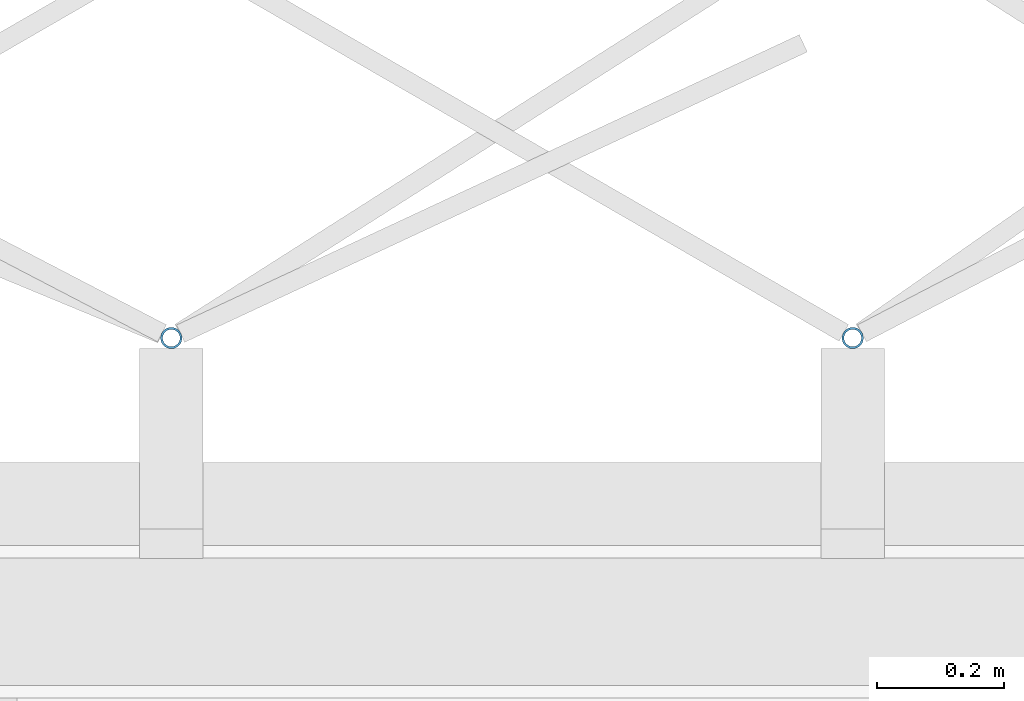
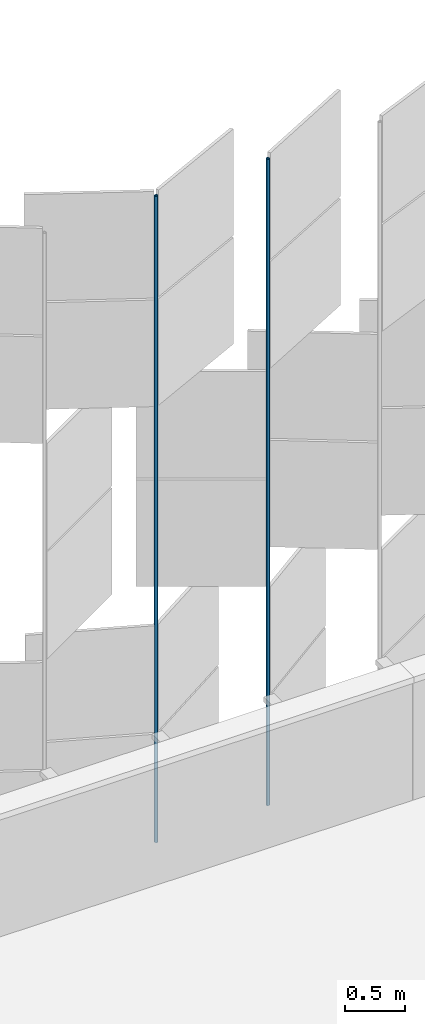
# One storey, part 368 of 483: 2 discrete accessories.
"""IFC4 building model written with IfcOpenShell, lengths in metres."""

from ifc_helpers import new_model, si_unit, direction, frame, origin, origin_2d, place, context, subcontext, project, spatial, hollow_circle, extrude, material, material_profile, profile_set, type_object, element, save


model = new_model("IFC4")

# Units and contexts
model_context = context("Model", 3, precision=1e-05, world=origin(), true_north=direction((0.0, 1.0)))
body_context = subcontext(model_context, "Body", "Model", "MODEL_VIEW")
ifc_project = project(units=[si_unit("LENGTHUNIT", "METRE"), si_unit("AREAUNIT", "SQUARE_METRE"), si_unit("VOLUMEUNIT", "CUBIC_METRE"), si_unit("PLANEANGLEUNIT", "RADIAN"), si_unit("MASSUNIT", "GRAM", prefix="KILO")], contexts=[model_context])

# Site, building, storey
site_placement = place(None, origin())
site = spatial("IfcSite", under=ifc_project, at=site_placement, CompositionType="ELEMENT")
building_placement = place(site_placement, origin())
building = spatial("IfcBuilding", under=site, at=building_placement, Name="Parallax Yard Mobility Hub", CompositionType="ELEMENT")
storey_placement = place(building_placement, frame((0.0, 0.0, 13.199951171875)))
storey = spatial("IfcBuildingStorey", under=building, at=storey_placement, Name="L04", CompositionType="ELEMENT", Elevation=13.199951171875)

# Discrete accessories
ifc_material = material(Name="Steel ASTM A500 Gr C, hot-dip galvanised", Category="steel")
ifc_material_profile = material_profile(ifc_material, hollow_circle(Radius=0.016845703125, WallThickness=0.003173828125, at=origin_2d()), Name="CHS 33.7x3.2")
ifc_profile_set = profile_set([ifc_material_profile], Name="Steel ASTM A500 Gr C, hot-dip galvanised")
discrete_accessory_type = type_object("IfcDiscreteAccessoryType", Name="Hinge post CHS 33.7x3.2", PredefinedType="BRACKET", material=ifc_profile_set)
for number, where, z_axis, x_axis, name in (
    (1, (148.927490234375, 142.800048828125, 0.0), (0.0, 0.0, 1.0), (1.0, 0.0, 0.0), "Hinge post bay 54.2 level L04"),
    (2, (147.856201171875, 142.800048828125, 0.0), (0.0, 0.0, 1.0), (1.0, 0.0, 0.0), "Hinge post bay 54.3 level L04"),
):
    element("IfcDiscreteAccessory", number, at=place(storey_placement, frame(where, z_axis=z_axis, x_axis=x_axis)), inside=storey, type_object=discrete_accessory_type, Name=name, PredefinedType="BRACKET", context=body_context, shape_type="SweptSolid", body=[
        extrude(hollow_circle(Radius=0.016845703125, WallThickness=0.003173828125, at=origin_2d()), origin(), (0.0, 0.0, 1.0), 6.550048828125),
    ])

save(model, "model.ifc")
